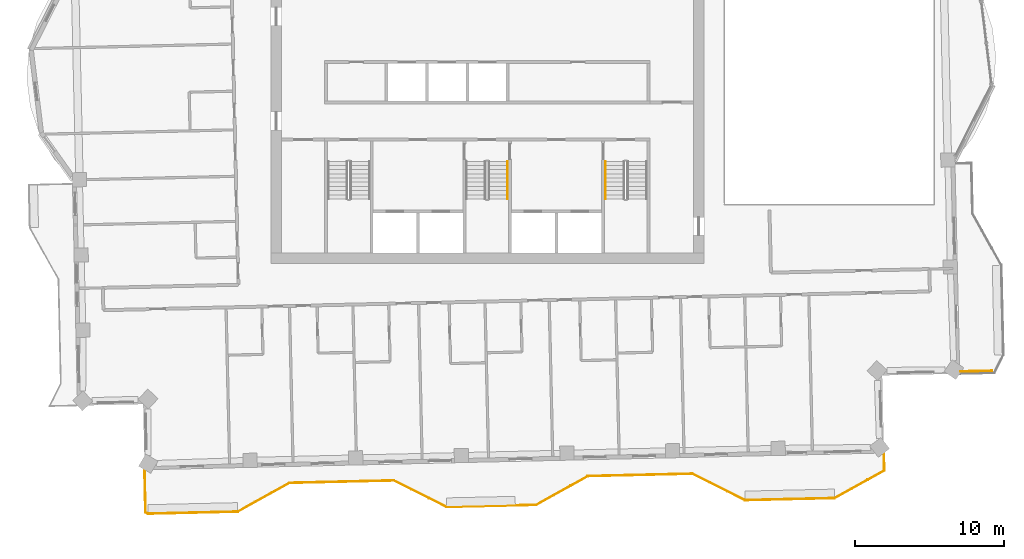
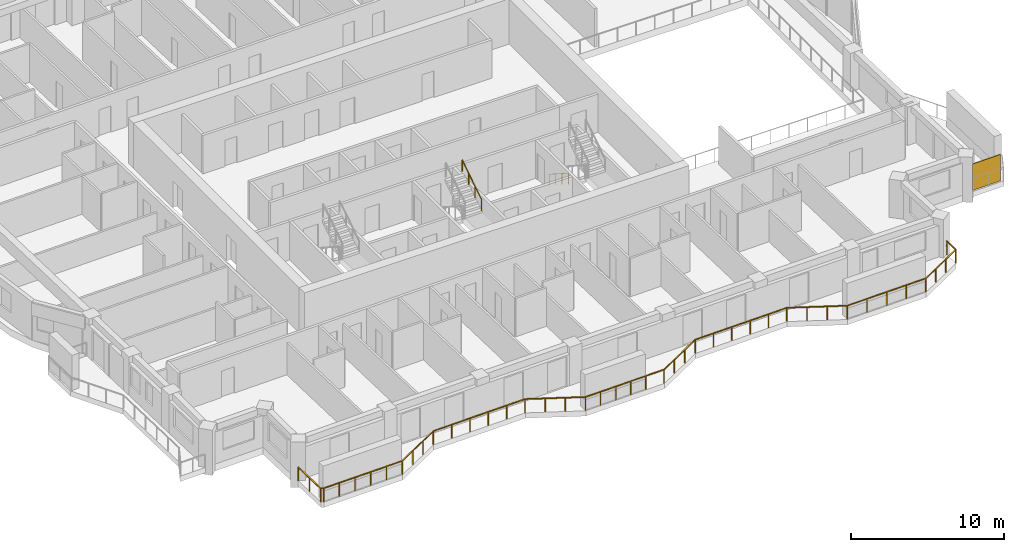
# One storey, part 17 of 19: 3 railings, 1 shading device.
"""IFC4 building model written with IfcOpenShell, lengths in metres."""

from ifc_helpers import new_model, si_unit, direction, frame, origin, origin_2d, place, context, subcontext, project, spatial, rectangle, circle, extrude, material, type_object, element, save


model = new_model("IFC4")

# Units and contexts
model_context = context("Model", 3, precision=1e-05, world=origin(), true_north=direction((0.0, 1.0)))
body_context = subcontext(model_context, "Body", "Model", "MODEL_VIEW")
ifc_project = project(units=[si_unit("LENGTHUNIT", "METRE"), si_unit("AREAUNIT", "SQUARE_METRE"), si_unit("VOLUMEUNIT", "CUBIC_METRE"), si_unit("PLANEANGLEUNIT", "RADIAN"), si_unit("MASSUNIT", "GRAM", prefix="KILO")], contexts=[model_context])

# Site, building, storey
site_placement = place(None, origin())
site = spatial("IfcSite", under=ifc_project, at=site_placement, CompositionType="ELEMENT")
building_placement = place(site_placement, origin())
building = spatial("IfcBuilding", under=site, at=building_placement, Name="Mangrove Gate Tower", CompositionType="ELEMENT")
storey_placement = place(building_placement, frame((0.0, 0.0, 283.5)))
storey = spatial("IfcBuildingStorey", under=building, at=storey_placement, Name="L72", CompositionType="ELEMENT", Elevation=283.5)

# Railing
ifc_material_1 = material(Name="Stainless steel grade 316 with laminated glass infill", Category="steel")
railing_type_1 = type_object("IfcRailingType", Name="Balcony guard 1100", PredefinedType="GUARDRAIL", material=ifc_material_1)
railing_1_placement = place(storey_placement, frame((-22.9619140625, -25.35400390625, 0.0)))
element("IfcRailing", 1, at=railing_1_placement, inside=storey, type_object=railing_type_1, Name="GUARD L72 S1", PredefinedType="GUARDRAIL", context=body_context, shape_type="SweptSolid", body=[
    extrude(rectangle(XDim=0.048095703125, YDim=0.048095703125, at=origin_2d()), frame((0.0, 0.0, 1.076171875), z_axis=(0.022668340677, -0.999743040151, 0.0), x_axis=(0.999743040151, 0.022668340677, 0.0)), (0.0, 0.0, 1.0), 2.82177734375),
    extrude(rectangle(XDim=0.048095703125, YDim=0.048095703125, at=origin_2d()), frame((0.06396484375, -2.821044921875, 1.076171875), z_axis=(0.894427191, -0.4472135955, 0.0), x_axis=(0.4472135955, 0.894427191, 0.0)), (0.0, 0.0, 1.0), 0.18994140625),
    extrude(rectangle(XDim=0.048095703125, YDim=0.048095703125, at=origin_2d()), frame((0.23388671875, -2.906005859375, 1.076171875), z_axis=(0.999739477659, 0.022824916448, 0.0), x_axis=(-0.022824916448, 0.999739477659, 0.0)), (0.0, 0.0, 1.0), 6.00048828125),
    extrude(rectangle(XDim=0.048095703125, YDim=0.048095703125, at=origin_2d()), frame((6.23291015625, -2.76904296875, 1.076171875), z_axis=(0.873361856081, 0.487071933437, 0.0), x_axis=(-0.487071933437, 0.873361856081, 0.0)), (0.0, 0.0, 1.0), 3.958251953125),
    extrude(rectangle(XDim=0.048095703125, YDim=0.048095703125, at=origin_2d()), frame((9.68994140625, -0.841064453125, 1.076171875), z_axis=(0.999741403216, 0.022740419861, 0.0), x_axis=(-0.022740419861, 0.999741403216, 0.0)), (0.0, 0.0, 1.0), 6.999755859375),
    extrude(rectangle(XDim=0.048095703125, YDim=0.048095703125, at=origin_2d()), frame((16.68798828125, -0.681884765625, 1.076171875), z_axis=(0.894476522376, -0.447114919141, 0.0), x_axis=(0.447114919141, 0.894476522376, 0.0)), (0.0, 0.0, 1.0), 3.958740234375),
    extrude(rectangle(XDim=0.048095703125, YDim=0.048095703125, at=origin_2d()), frame((20.22900390625, -2.451904296875, 1.076171875), z_axis=(0.999744377441, 0.022609285172, 0.0), x_axis=(-0.022609285172, 0.999744377441, 0.0)), (0.0, 0.0, 1.0), 4.60009765625),
    extrude(rectangle(XDim=0.048095703125, YDim=0.048095703125, at=origin_2d()), frame((24.827880859375, -2.347900390625, 1.076171875), z_axis=(0.999739219063, 0.022836240226, 0.0), x_axis=(-0.022836240226, 0.999739219063, 0.0)), (0.0, 0.0, 1.0), 1.400390625),
    extrude(rectangle(XDim=0.048095703125, YDim=0.048095703125, at=origin_2d()), frame((26.22802734375, -2.31591796875, 1.076171875), z_axis=(0.873242256246, 0.487286324359, 0.0), x_axis=(-0.487286324359, 0.873242256246, 0.0)), (0.0, 0.0, 1.0), 3.95849609375),
    extrude(rectangle(XDim=0.048095703125, YDim=0.048095703125, at=origin_2d()), frame((29.684814453125, -0.386962890625, 1.076171875), z_axis=(0.999742195543, 0.022705559911, 0.0), x_axis=(-0.022705559911, 0.999742195543, 0.0)), (0.0, 0.0, 1.0), 6.999755859375),
    extrude(rectangle(XDim=0.048095703125, YDim=0.048095703125, at=origin_2d()), frame((36.682861328125, -0.22802734375, 1.076171875), z_axis=(0.894476522376, -0.447114919141, 0.0), x_axis=(0.447114919141, 0.894476522376, 0.0)), (0.0, 0.0, 1.0), 3.958740234375),
    extrude(rectangle(XDim=0.048095703125, YDim=0.048095703125, at=origin_2d()), frame((40.223876953125, -1.998046875, 1.076171875), z_axis=(0.999743094499, 0.022665943652, 0.0), x_axis=(-0.022665943652, 0.999743094499, 0.0)), (0.0, 0.0, 1.0), 5.99951171875),
    extrude(rectangle(XDim=0.048095703125, YDim=0.048095703125, at=origin_2d()), frame((46.221923828125, -1.862060546875, 1.076171875), z_axis=(0.873300431687, 0.487182056336, 0.0), x_axis=(-0.487182056336, 0.873300431687, 0.0)), (0.0, 0.0, 1.0), 3.8095703125),
    extrude(rectangle(XDim=0.048095703125, YDim=0.048095703125, at=origin_2d()), frame((49.548828125, -0.006103515625, 1.076171875), z_axis=(-0.022029649259, 0.999757317829, 0.0), x_axis=(-0.999757317829, -0.022029649259, 0.0)), (0.0, 0.0, 1.0), 1.13037109375),
    extrude(rectangle(XDim=0.0419921875, YDim=0.0419921875, at=origin_2d()), origin(), (0.0, 0.0, 1.0), 1.052001953125),
    extrude(rectangle(XDim=0.0419921875, YDim=0.0419921875, at=origin_2d()), frame((0.031982421875, -1.41064453125, 0.0)), (0.0, 0.0, 1.0), 1.052001953125),
    extrude(rectangle(XDim=0.0419921875, YDim=0.0419921875, at=origin_2d()), frame((0.06396484375, -2.821044921875, 0.0)), (0.0, 0.0, 1.0), 1.052001953125),
    extrude(rectangle(XDim=0.0419921875, YDim=0.0419921875, at=origin_2d()), frame((0.23388671875, -2.906005859375, 0.0)), (0.0, 0.0, 1.0), 1.052001953125),
    extrude(rectangle(XDim=0.0419921875, YDim=0.0419921875, at=origin_2d()), frame((1.43359375, -2.878662109375, 0.0)), (0.0, 0.0, 1.0), 1.052001953125),
    extrude(rectangle(XDim=0.0419921875, YDim=0.0419921875, at=origin_2d()), frame((2.633544921875, -2.851318359375, 0.0)), (0.0, 0.0, 1.0), 1.052001953125),
    extrude(rectangle(XDim=0.0419921875, YDim=0.0419921875, at=origin_2d()), frame((3.833251953125, -2.82373046875, 0.0)), (0.0, 0.0, 1.0), 1.052001953125),
    extrude(rectangle(XDim=0.0419921875, YDim=0.0419921875, at=origin_2d()), frame((5.033203125, -2.79638671875, 0.0)), (0.0, 0.0, 1.0), 1.052001953125),
    extrude(rectangle(XDim=0.0419921875, YDim=0.0419921875, at=origin_2d()), frame((6.23291015625, -2.76904296875, 0.0)), (0.0, 0.0, 1.0), 1.052001953125),
    extrude(rectangle(XDim=0.0419921875, YDim=0.0419921875, at=origin_2d()), frame((7.38525390625, -2.12646484375, 0.0)), (0.0, 0.0, 1.0), 1.052001953125),
    extrude(rectangle(XDim=0.0419921875, YDim=0.0419921875, at=origin_2d()), frame((8.53759765625, -1.483642578125, 0.0)), (0.0, 0.0, 1.0), 1.052001953125),
    extrude(rectangle(XDim=0.0419921875, YDim=0.0419921875, at=origin_2d()), frame((9.68994140625, -0.841064453125, 0.0)), (0.0, 0.0, 1.0), 1.052001953125),
    extrude(rectangle(XDim=0.0419921875, YDim=0.0419921875, at=origin_2d()), frame((11.089599609375, -0.809326171875, 0.0)), (0.0, 0.0, 1.0), 1.052001953125),
    extrude(rectangle(XDim=0.0419921875, YDim=0.0419921875, at=origin_2d()), frame((12.4892578125, -0.77734375, 0.0)), (0.0, 0.0, 1.0), 1.052001953125),
    extrude(rectangle(XDim=0.0419921875, YDim=0.0419921875, at=origin_2d()), frame((13.888671875, -0.74560546875, 0.0)), (0.0, 0.0, 1.0), 1.052001953125),
    extrude(rectangle(XDim=0.0419921875, YDim=0.0419921875, at=origin_2d()), frame((15.288330078125, -0.713623046875, 0.0)), (0.0, 0.0, 1.0), 1.052001953125),
    extrude(rectangle(XDim=0.0419921875, YDim=0.0419921875, at=origin_2d()), frame((16.68798828125, -0.681884765625, 0.0)), (0.0, 0.0, 1.0), 1.052001953125),
    extrude(rectangle(XDim=0.0419921875, YDim=0.0419921875, at=origin_2d()), frame((17.868408203125, -1.27197265625, 0.0)), (0.0, 0.0, 1.0), 1.052001953125),
    extrude(rectangle(XDim=0.0419921875, YDim=0.0419921875, at=origin_2d()), frame((19.048583984375, -1.86181640625, 0.0)), (0.0, 0.0, 1.0), 1.052001953125),
    extrude(rectangle(XDim=0.0419921875, YDim=0.0419921875, at=origin_2d()), frame((20.22900390625, -2.451904296875, 0.0)), (0.0, 0.0, 1.0), 1.052001953125),
    extrude(rectangle(XDim=0.0419921875, YDim=0.0419921875, at=origin_2d()), frame((21.378662109375, -2.42578125, 0.0)), (0.0, 0.0, 1.0), 1.052001953125),
    extrude(rectangle(XDim=0.0419921875, YDim=0.0419921875, at=origin_2d()), frame((22.5283203125, -2.39990234375, 0.0)), (0.0, 0.0, 1.0), 1.052001953125),
    extrude(rectangle(XDim=0.0419921875, YDim=0.0419921875, at=origin_2d()), frame((23.67822265625, -2.3740234375, 0.0)), (0.0, 0.0, 1.0), 1.052001953125),
    extrude(rectangle(XDim=0.0419921875, YDim=0.0419921875, at=origin_2d()), frame((24.827880859375, -2.347900390625, 0.0)), (0.0, 0.0, 1.0), 1.052001953125),
    extrude(rectangle(XDim=0.0419921875, YDim=0.0419921875, at=origin_2d()), frame((26.22802734375, -2.31591796875, 0.0)), (0.0, 0.0, 1.0), 1.052001953125),
    extrude(rectangle(XDim=0.0419921875, YDim=0.0419921875, at=origin_2d()), frame((27.38037109375, -1.6728515625, 0.0)), (0.0, 0.0, 1.0), 1.052001953125),
    extrude(rectangle(XDim=0.0419921875, YDim=0.0419921875, at=origin_2d()), frame((28.532470703125, -1.030029296875, 0.0)), (0.0, 0.0, 1.0), 1.052001953125),
    extrude(rectangle(XDim=0.0419921875, YDim=0.0419921875, at=origin_2d()), frame((29.684814453125, -0.386962890625, 0.0)), (0.0, 0.0, 1.0), 1.052001953125),
    extrude(rectangle(XDim=0.0419921875, YDim=0.0419921875, at=origin_2d()), frame((31.08447265625, -0.355224609375, 0.0)), (0.0, 0.0, 1.0), 1.052001953125),
    extrude(rectangle(XDim=0.0419921875, YDim=0.0419921875, at=origin_2d()), frame((32.484130859375, -0.323486328125, 0.0)), (0.0, 0.0, 1.0), 1.052001953125),
    extrude(rectangle(XDim=0.0419921875, YDim=0.0419921875, at=origin_2d()), frame((33.883544921875, -0.29150390625, 0.0)), (0.0, 0.0, 1.0), 1.052001953125),
    extrude(rectangle(XDim=0.0419921875, YDim=0.0419921875, at=origin_2d()), frame((35.283203125, -0.259765625, 0.0)), (0.0, 0.0, 1.0), 1.052001953125),
    extrude(rectangle(XDim=0.0419921875, YDim=0.0419921875, at=origin_2d()), frame((36.682861328125, -0.22802734375, 0.0)), (0.0, 0.0, 1.0), 1.052001953125),
    extrude(rectangle(XDim=0.0419921875, YDim=0.0419921875, at=origin_2d()), frame((37.86328125, -0.818115234375, 0.0)), (0.0, 0.0, 1.0), 1.052001953125),
    extrude(rectangle(XDim=0.0419921875, YDim=0.0419921875, at=origin_2d()), frame((39.04345703125, -1.407958984375, 0.0)), (0.0, 0.0, 1.0), 1.052001953125),
    extrude(rectangle(XDim=0.0419921875, YDim=0.0419921875, at=origin_2d()), frame((40.223876953125, -1.998046875, 0.0)), (0.0, 0.0, 1.0), 1.052001953125),
    extrude(rectangle(XDim=0.0419921875, YDim=0.0419921875, at=origin_2d()), frame((41.723388671875, -1.964111328125, 0.0)), (0.0, 0.0, 1.0), 1.052001953125),
    extrude(rectangle(XDim=0.0419921875, YDim=0.0419921875, at=origin_2d()), frame((43.222900390625, -1.93017578125, 0.0)), (0.0, 0.0, 1.0), 1.052001953125),
    extrude(rectangle(XDim=0.0419921875, YDim=0.0419921875, at=origin_2d()), frame((44.722412109375, -1.89599609375, 0.0)), (0.0, 0.0, 1.0), 1.052001953125),
    extrude(rectangle(XDim=0.0419921875, YDim=0.0419921875, at=origin_2d()), frame((46.221923828125, -1.862060546875, 0.0)), (0.0, 0.0, 1.0), 1.052001953125),
    extrude(rectangle(XDim=0.0419921875, YDim=0.0419921875, at=origin_2d()), frame((47.330810546875, -1.243408203125, 0.0)), (0.0, 0.0, 1.0), 1.052001953125),
    extrude(rectangle(XDim=0.0419921875, YDim=0.0419921875, at=origin_2d()), frame((48.43994140625, -0.624755859375, 0.0)), (0.0, 0.0, 1.0), 1.052001953125),
    extrude(rectangle(XDim=0.0419921875, YDim=0.0419921875, at=origin_2d()), frame((49.548828125, -0.006103515625, 0.0)), (0.0, 0.0, 1.0), 1.052001953125),
    extrude(rectangle(XDim=0.0419921875, YDim=0.0419921875, at=origin_2d()), frame((49.52392578125, 1.1240234375, 0.0)), (0.0, 0.0, 1.0), 1.052001953125),
])

# Shading device
ifc_material_2 = material(Name="Timber slat screen in teak", Category="wood")
shading_device_type = type_object("IfcShadingDeviceType", Name="Balcony screen 2100", PredefinedType="USERDEFINED", material=ifc_material_2)
shading_device_placement = place(storey_placement, frame((32.735107421875, -18.708984375, 0.0), z_axis=(0.0, 0.0, 1.0), x_axis=(0.999737035917, 0.022931616096, 0.0)))
element("IfcShadingDevice", 2, at=shading_device_placement, inside=storey, type_object=shading_device_type, Name="SCREEN L72 E0", ObjectType="SCREEN", PredefinedType="USERDEFINED", context=body_context, shape_type="SweptSolid", body=[
    extrude(rectangle(XDim=2.156005859375, YDim=0.050048828125, at=origin_2d()), origin(), (0.0, 0.0, 1.0), 2.10009765625),
])

# Railings
ifc_material_3 = material(Name="Stainless steel 316", Category="steel")
railing_type_2 = type_object("IfcRailingType", Name="Core stair handrail 900", PredefinedType="HANDRAIL", material=ifc_material_3)
railing_2_placement = place(storey_placement, frame((1.35009765625, -7.169921875, 1.97998046875)))
element("IfcRailing", 3, at=railing_2_placement, inside=storey, type_object=railing_type_2, Name="L72 ST2 stair handrail 2", PredefinedType="HANDRAIL", context=body_context, shape_type="SweptSolid", body=[
    extrude(circle(Radius=0.02392578125, at=origin_2d()), frame((0.0, 0.0, 0.8759765625), z_axis=(0.0, 0.841162588446, 0.540782303519), x_axis=(-1.0, 0.0, 0.0)), (0.0, 0.0, 1.0), 2.995849609375),
    extrude(circle(Radius=0.02099609375, at=origin_2d()), origin(), (0.0, 0.0, 1.0), 0.851806640625),
    extrude(circle(Radius=0.02099609375, at=origin_2d()), frame((0.0, 0.840087890625, 0.5400390625)), (0.0, 0.0, 1.0), 0.851806640625),
    extrude(circle(Radius=0.02099609375, at=origin_2d()), frame((0.0, 1.679931640625, 1.080078125)), (0.0, 0.0, 1.0), 0.851806640625),
    extrude(circle(Radius=0.02099609375, at=origin_2d()), frame((0.0, 2.52001953125, 1.6201171875)), (0.0, 0.0, 1.0), 0.851806640625),
])
railing_3_placement = place(storey_placement, frame((7.89990234375, -4.64990234375, 0.179931640625)))
element("IfcRailing", 4, at=railing_3_placement, inside=storey, type_object=railing_type_2, Name="L72 ST3 stair handrail 1", PredefinedType="HANDRAIL", context=body_context, shape_type="SweptSolid", body=[
    extrude(circle(Radius=0.02392578125, at=origin_2d()), frame((0.0, 0.0, 0.8759765625), z_axis=(0.0, -0.841162588446, 0.540782303519), x_axis=(1.0, 0.0, 0.0)), (0.0, 0.0, 1.0), 2.995849609375),
    extrude(circle(Radius=0.02099609375, at=origin_2d()), origin(), (0.0, 0.0, 1.0), 0.851806640625),
    extrude(circle(Radius=0.02099609375, at=origin_2d()), frame((0.0, -0.840087890625, 0.5400390625)), (0.0, 0.0, 1.0), 0.851806640625),
    extrude(circle(Radius=0.02099609375, at=origin_2d()), frame((0.0, -1.679931640625, 1.080078125)), (0.0, 0.0, 1.0), 0.851806640625),
    extrude(circle(Radius=0.02099609375, at=origin_2d()), frame((0.0, -2.52001953125, 1.6201171875)), (0.0, 0.0, 1.0), 0.851806640625),
])

save(model, "model.ifc")
